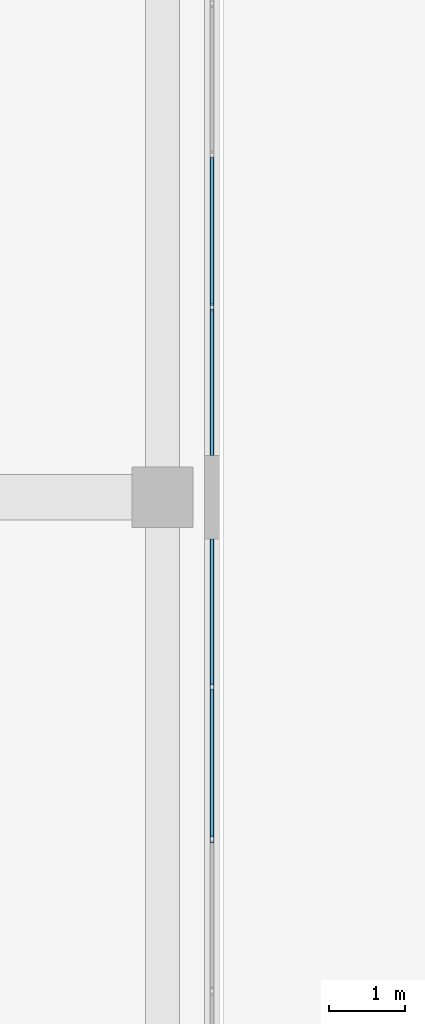
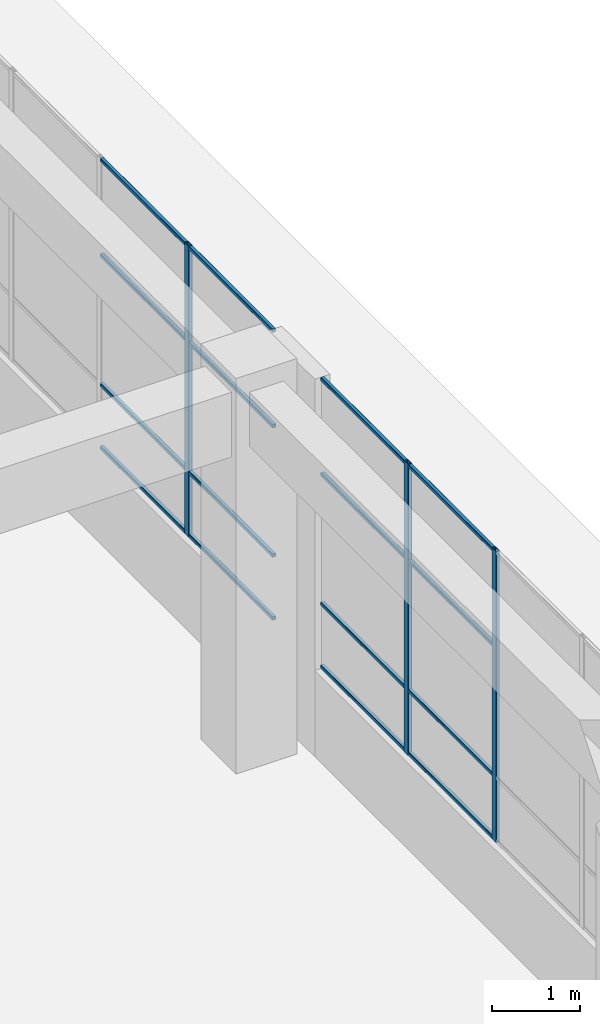
# One storey, part 37 of 72: 19 members, 2 elements without a shape of their own.
"""IFC4 building model written with IfcOpenShell, lengths in metres."""

from ifc_helpers import new_model, si_unit, direction, frame, origin, origin_2d, place, context, subcontext, project, spatial, hollow_rectangle, extrude, material, layer, layer_set, material_profile, profile_set, type_object, element, aggregate, save


model = new_model("IFC4")

# Units and contexts
model_context = context("Model", 3, precision=1e-05, world=origin(), true_north=direction((0.0, 1.0)))
body_context = subcontext(model_context, "Body", "Model", "MODEL_VIEW")
ifc_project = project(units=[si_unit("LENGTHUNIT", "METRE"), si_unit("AREAUNIT", "SQUARE_METRE"), si_unit("VOLUMEUNIT", "CUBIC_METRE"), si_unit("PLANEANGLEUNIT", "RADIAN"), si_unit("MASSUNIT", "GRAM", prefix="KILO")], contexts=[model_context])

# Site, building, storey
site_placement = place(None, origin())
site = spatial("IfcSite", under=ifc_project, at=site_placement, CompositionType="ELEMENT")
building_placement = place(site_placement, origin())
building = spatial("IfcBuilding", under=site, at=building_placement, Name="Tuart Plaza Theatre", CompositionType="ELEMENT")
storey_placement = place(building_placement, origin())
storey = spatial("IfcBuildingStorey", under=building, at=storey_placement, Name="L00", CompositionType="ELEMENT", Elevation=0.0)

# Curtain wall, members
ifc_material_1 = material(Name="Aluminium and glass", Category="aluminium")
ifc_layer = layer(ifc_material_1, 0.10009765625)
ifc_layer_set = layer_set([ifc_layer], Name="CURTAIN WALL 2000 module")
curtain_wall_type = type_object("IfcCurtainWallType", Name="CURTAIN WALL 2000 module", PredefinedType="NOTDEFINED", material=ifc_layer_set)
curtain_wall_1_placement = place(storey_placement, origin())
curtain_wall_1 = element("IfcCurtainWall", 1, at=curtain_wall_1_placement, inside=storey, type_object=curtain_wall_type, Name="CW49", PredefinedType="NOTDEFINED")
ifc_material_2 = material(Name="Aluminium 6063-T5", Category="aluminium")
ifc_material_profile_1 = material_profile(ifc_material_2, hollow_rectangle(XDim=0.050048828125, YDim=0.10009765625, WallThickness=0.00390625, InnerFilletRadius=0.00390625, OuterFilletRadius=0.008056640625, at=origin_2d()), Name="RHS 100x50x4")
ifc_profile_set_1 = profile_set([ifc_material_profile_1], Name="Aluminium 6063-T5")
member_type_1 = type_object("IfcMemberType", Name="MULLION RHS 100x50x4", PredefinedType="MULLION", material=ifc_profile_set_1)
member_1_placement = place(storey_placement, frame((150.64990234375, 69.5, 1.199951171875), z_axis=(0.0, 0.0, 1.0), x_axis=(-1.0, 0.0, 0.0)))
member_1 = element("IfcMember", 2, at=member_1_placement, type_object=member_type_1, Name="CW49 mullion 3", PredefinedType="MULLION", context=body_context, shape_type="SweptSolid", body=[
    extrude(hollow_rectangle(XDim=0.050048828125, YDim=0.10009765625, WallThickness=0.00390625, InnerFilletRadius=0.00390625, OuterFilletRadius=0.008056640625, at=origin_2d()), origin(), (0.0, 0.0, 1.0), 4.050048828125),
])
member_2_placement = place(storey_placement, frame((150.64990234375, 71.5, 1.199951171875), z_axis=(0.0, 0.0, 1.0), x_axis=(-1.0, 0.0, 0.0)))
member_2 = element("IfcMember", 3, at=member_2_placement, type_object=member_type_1, Name="CW49 mullion 4", PredefinedType="MULLION", context=body_context, shape_type="SweptSolid", body=[
    extrude(hollow_rectangle(XDim=0.050048828125, YDim=0.10009765625, WallThickness=0.00390625, InnerFilletRadius=0.00390625, OuterFilletRadius=0.008056640625, at=origin_2d()), origin(), (0.0, 0.0, 1.0), 4.050048828125),
])

# Curtain wall, member
curtain_wall_2_placement = place(storey_placement, origin())
curtain_wall_2 = element("IfcCurtainWall", 4, at=curtain_wall_2_placement, inside=storey, type_object=curtain_wall_type, Name="CW50", PredefinedType="NOTDEFINED")
member_3_placement = place(storey_placement, frame((150.64990234375, 76.5, 1.199951171875), z_axis=(0.0, 0.0, 1.0), x_axis=(-1.0, 0.0, 0.0)))
member_3 = element("IfcMember", 5, at=member_3_placement, type_object=member_type_1, Name="CW50 mullion 2", PredefinedType="MULLION", context=body_context, shape_type="SweptSolid", body=[
    extrude(hollow_rectangle(XDim=0.050048828125, YDim=0.10009765625, WallThickness=0.00390625, InnerFilletRadius=0.00390625, OuterFilletRadius=0.008056640625, at=origin_2d()), origin(), (0.0, 0.0, 1.0), 4.050048828125),
])

# Member
ifc_material_3 = material(Name="Aluminium 6063-T5", Category="aluminium")
ifc_material_profile_2 = material_profile(ifc_material_3, hollow_rectangle(XDim=0.050048828125, YDim=0.050048828125, WallThickness=0.00390625, InnerFilletRadius=0.00390625, OuterFilletRadius=0.008056640625, at=origin_2d()), Name="RHS 50x50x4")
ifc_profile_set_2 = profile_set([ifc_material_profile_2], Name="Aluminium 6063-T5")
member_type_2 = type_object("IfcMemberType", Name="TRANSOM RHS 50x50x4", PredefinedType="USERDEFINED", material=ifc_profile_set_2)
member_4_placement = place(storey_placement, frame((150.64990234375, 69.52490234375, 1.22509765625), z_axis=(0.0, 1.0, 0.0), x_axis=(-1.0, 0.0, 0.0)))
member_4 = element("IfcMember", 6, at=member_4_placement, type_object=member_type_2, Name="CW49 transom 3.1", ObjectType="TRANSOM", PredefinedType="USERDEFINED", context=body_context, shape_type="SweptSolid", body=[
    extrude(hollow_rectangle(XDim=0.050048828125, YDim=0.050048828125, WallThickness=0.00390625, InnerFilletRadius=0.00390625, OuterFilletRadius=0.008056640625, at=origin_2d()), origin(), (0.0, 0.0, 1.0), 1.9501953125),
])

member_5_placement = place(storey_placement, frame((150.64990234375, 69.52490234375, 2.10009765625), z_axis=(0.0, 1.0, 0.0), x_axis=(-1.0, 0.0, 0.0)))
member_5 = element("IfcMember", 7, at=member_5_placement, type_object=member_type_2, Name="CW49 transom 3.2", ObjectType="TRANSOM", PredefinedType="USERDEFINED", context=body_context, shape_type="SweptSolid", body=[
    extrude(hollow_rectangle(XDim=0.050048828125, YDim=0.050048828125, WallThickness=0.00390625, InnerFilletRadius=0.00390625, OuterFilletRadius=0.008056640625, at=origin_2d()), origin(), (0.0, 0.0, 1.0), 1.9501953125),
])

member_6_placement = place(storey_placement, frame((150.64990234375, 69.52490234375, 3.89990234375), z_axis=(0.0, 1.0, 0.0), x_axis=(-1.0, 0.0, 0.0)))
member_6 = element("IfcMember", 8, at=member_6_placement, type_object=member_type_2, Name="CW49 transom 3.3", ObjectType="TRANSOM", PredefinedType="USERDEFINED", context=body_context, shape_type="SweptSolid", body=[
    extrude(hollow_rectangle(XDim=0.050048828125, YDim=0.050048828125, WallThickness=0.00390625, InnerFilletRadius=0.00390625, OuterFilletRadius=0.008056640625, at=origin_2d()), origin(), (0.0, 0.0, 1.0), 1.9501953125),
])

member_7_placement = place(storey_placement, frame((150.64990234375, 69.52490234375, 5.22509765625), z_axis=(0.0, 1.0, 0.0), x_axis=(-1.0, 0.0, 0.0)))
member_7 = element("IfcMember", 9, at=member_7_placement, type_object=member_type_2, Name="CW49 transom 3.4", ObjectType="TRANSOM", PredefinedType="USERDEFINED", context=body_context, shape_type="SweptSolid", body=[
    extrude(hollow_rectangle(XDim=0.050048828125, YDim=0.050048828125, WallThickness=0.00390625, InnerFilletRadius=0.00390625, OuterFilletRadius=0.008056640625, at=origin_2d()), origin(), (0.0, 0.0, 1.0), 1.9501953125),
])

member_8_placement = place(storey_placement, frame((150.64990234375, 71.52490234375, 1.22509765625), z_axis=(0.0, 1.0, 0.0), x_axis=(-1.0, 0.0, 0.0)))
member_8 = element("IfcMember", 10, at=member_8_placement, type_object=member_type_2, Name="CW49 transom 4.1", ObjectType="TRANSOM", PredefinedType="USERDEFINED", context=body_context, shape_type="SweptSolid", body=[
    extrude(hollow_rectangle(XDim=0.050048828125, YDim=0.050048828125, WallThickness=0.00390625, InnerFilletRadius=0.00390625, OuterFilletRadius=0.008056640625, at=origin_2d()), origin(), (0.0, 0.0, 1.0), 1.925048828125),
])

member_9_placement = place(storey_placement, frame((150.64990234375, 71.52490234375, 2.10009765625), z_axis=(0.0, 1.0, 0.0), x_axis=(-1.0, 0.0, 0.0)))
member_9 = element("IfcMember", 11, at=member_9_placement, type_object=member_type_2, Name="CW49 transom 4.2", ObjectType="TRANSOM", PredefinedType="USERDEFINED", context=body_context, shape_type="SweptSolid", body=[
    extrude(hollow_rectangle(XDim=0.050048828125, YDim=0.050048828125, WallThickness=0.00390625, InnerFilletRadius=0.00390625, OuterFilletRadius=0.008056640625, at=origin_2d()), origin(), (0.0, 0.0, 1.0), 1.925048828125),
])

member_10_placement = place(storey_placement, frame((150.64990234375, 71.52490234375, 3.89990234375), z_axis=(0.0, 1.0, 0.0), x_axis=(-1.0, 0.0, 0.0)))
member_10 = element("IfcMember", 12, at=member_10_placement, type_object=member_type_2, Name="CW49 transom 4.3", ObjectType="TRANSOM", PredefinedType="USERDEFINED", context=body_context, shape_type="SweptSolid", body=[
    extrude(hollow_rectangle(XDim=0.050048828125, YDim=0.050048828125, WallThickness=0.00390625, InnerFilletRadius=0.00390625, OuterFilletRadius=0.008056640625, at=origin_2d()), origin(), (0.0, 0.0, 1.0), 1.925048828125),
])

member_11_placement = place(storey_placement, frame((150.64990234375, 71.52490234375, 5.22509765625), z_axis=(0.0, 1.0, 0.0), x_axis=(-1.0, 0.0, 0.0)))
member_11 = element("IfcMember", 13, at=member_11_placement, type_object=member_type_2, Name="CW49 transom 4.4", ObjectType="TRANSOM", PredefinedType="USERDEFINED", context=body_context, shape_type="SweptSolid", body=[
    extrude(hollow_rectangle(XDim=0.050048828125, YDim=0.050048828125, WallThickness=0.00390625, InnerFilletRadius=0.00390625, OuterFilletRadius=0.008056640625, at=origin_2d()), origin(), (0.0, 0.0, 1.0), 1.925048828125),
])

aggregate(curtain_wall_1, [member_1, member_2, member_4, member_5, member_6, member_7, member_8, member_9, member_10, member_11])

member_12_placement = place(storey_placement, frame((150.64990234375, 74.550048828125, 1.22509765625), z_axis=(0.0, 1.0, 0.0), x_axis=(-1.0, 0.0, 0.0)))
member_12 = element("IfcMember", 14, at=member_12_placement, type_object=member_type_2, Name="CW50 transom 1.1", ObjectType="TRANSOM", PredefinedType="USERDEFINED", context=body_context, shape_type="SweptSolid", body=[
    extrude(hollow_rectangle(XDim=0.050048828125, YDim=0.050048828125, WallThickness=0.00390625, InnerFilletRadius=0.00390625, OuterFilletRadius=0.008056640625, at=origin_2d()), origin(), (0.0, 0.0, 1.0), 1.925048828125),
])

member_13_placement = place(storey_placement, frame((150.64990234375, 74.550048828125, 2.10009765625), z_axis=(0.0, 1.0, 0.0), x_axis=(-1.0, 0.0, 0.0)))
member_13 = element("IfcMember", 15, at=member_13_placement, type_object=member_type_2, Name="CW50 transom 1.2", ObjectType="TRANSOM", PredefinedType="USERDEFINED", context=body_context, shape_type="SweptSolid", body=[
    extrude(hollow_rectangle(XDim=0.050048828125, YDim=0.050048828125, WallThickness=0.00390625, InnerFilletRadius=0.00390625, OuterFilletRadius=0.008056640625, at=origin_2d()), origin(), (0.0, 0.0, 1.0), 1.925048828125),
])

member_14_placement = place(storey_placement, frame((150.64990234375, 74.550048828125, 3.89990234375), z_axis=(0.0, 1.0, 0.0), x_axis=(-1.0, 0.0, 0.0)))
member_14 = element("IfcMember", 16, at=member_14_placement, type_object=member_type_2, Name="CW50 transom 1.3", ObjectType="TRANSOM", PredefinedType="USERDEFINED", context=body_context, shape_type="SweptSolid", body=[
    extrude(hollow_rectangle(XDim=0.050048828125, YDim=0.050048828125, WallThickness=0.00390625, InnerFilletRadius=0.00390625, OuterFilletRadius=0.008056640625, at=origin_2d()), origin(), (0.0, 0.0, 1.0), 1.925048828125),
])

member_15_placement = place(storey_placement, frame((150.64990234375, 74.550048828125, 5.22509765625), z_axis=(0.0, 1.0, 0.0), x_axis=(-1.0, 0.0, 0.0)))
member_15 = element("IfcMember", 17, at=member_15_placement, type_object=member_type_2, Name="CW50 transom 1.4", ObjectType="TRANSOM", PredefinedType="USERDEFINED", context=body_context, shape_type="SweptSolid", body=[
    extrude(hollow_rectangle(XDim=0.050048828125, YDim=0.050048828125, WallThickness=0.00390625, InnerFilletRadius=0.00390625, OuterFilletRadius=0.008056640625, at=origin_2d()), origin(), (0.0, 0.0, 1.0), 1.925048828125),
])

member_16_placement = place(storey_placement, frame((150.64990234375, 76.52490234375, 1.22509765625), z_axis=(0.0, 1.0, 0.0), x_axis=(-1.0, 0.0, 0.0)))
member_16 = element("IfcMember", 18, at=member_16_placement, type_object=member_type_2, Name="CW50 transom 2.1", ObjectType="TRANSOM", PredefinedType="USERDEFINED", context=body_context, shape_type="SweptSolid", body=[
    extrude(hollow_rectangle(XDim=0.050048828125, YDim=0.050048828125, WallThickness=0.00390625, InnerFilletRadius=0.00390625, OuterFilletRadius=0.008056640625, at=origin_2d()), origin(), (0.0, 0.0, 1.0), 1.9501953125),
])

member_17_placement = place(storey_placement, frame((150.64990234375, 76.52490234375, 2.10009765625), z_axis=(0.0, 1.0, 0.0), x_axis=(-1.0, 0.0, 0.0)))
member_17 = element("IfcMember", 19, at=member_17_placement, type_object=member_type_2, Name="CW50 transom 2.2", ObjectType="TRANSOM", PredefinedType="USERDEFINED", context=body_context, shape_type="SweptSolid", body=[
    extrude(hollow_rectangle(XDim=0.050048828125, YDim=0.050048828125, WallThickness=0.00390625, InnerFilletRadius=0.00390625, OuterFilletRadius=0.008056640625, at=origin_2d()), origin(), (0.0, 0.0, 1.0), 1.9501953125),
])

member_18_placement = place(storey_placement, frame((150.64990234375, 76.52490234375, 3.89990234375), z_axis=(0.0, 1.0, 0.0), x_axis=(-1.0, 0.0, 0.0)))
member_18 = element("IfcMember", 20, at=member_18_placement, type_object=member_type_2, Name="CW50 transom 2.3", ObjectType="TRANSOM", PredefinedType="USERDEFINED", context=body_context, shape_type="SweptSolid", body=[
    extrude(hollow_rectangle(XDim=0.050048828125, YDim=0.050048828125, WallThickness=0.00390625, InnerFilletRadius=0.00390625, OuterFilletRadius=0.008056640625, at=origin_2d()), origin(), (0.0, 0.0, 1.0), 1.9501953125),
])

member_19_placement = place(storey_placement, frame((150.64990234375, 76.52490234375, 5.22509765625), z_axis=(0.0, 1.0, 0.0), x_axis=(-1.0, 0.0, 0.0)))
member_19 = element("IfcMember", 21, at=member_19_placement, type_object=member_type_2, Name="CW50 transom 2.4", ObjectType="TRANSOM", PredefinedType="USERDEFINED", context=body_context, shape_type="SweptSolid", body=[
    extrude(hollow_rectangle(XDim=0.050048828125, YDim=0.050048828125, WallThickness=0.00390625, InnerFilletRadius=0.00390625, OuterFilletRadius=0.008056640625, at=origin_2d()), origin(), (0.0, 0.0, 1.0), 1.9501953125),
])

aggregate(curtain_wall_2, [member_3, member_12, member_13, member_14, member_15, member_16, member_17, member_18, member_19])

save(model, "model.ifc")
